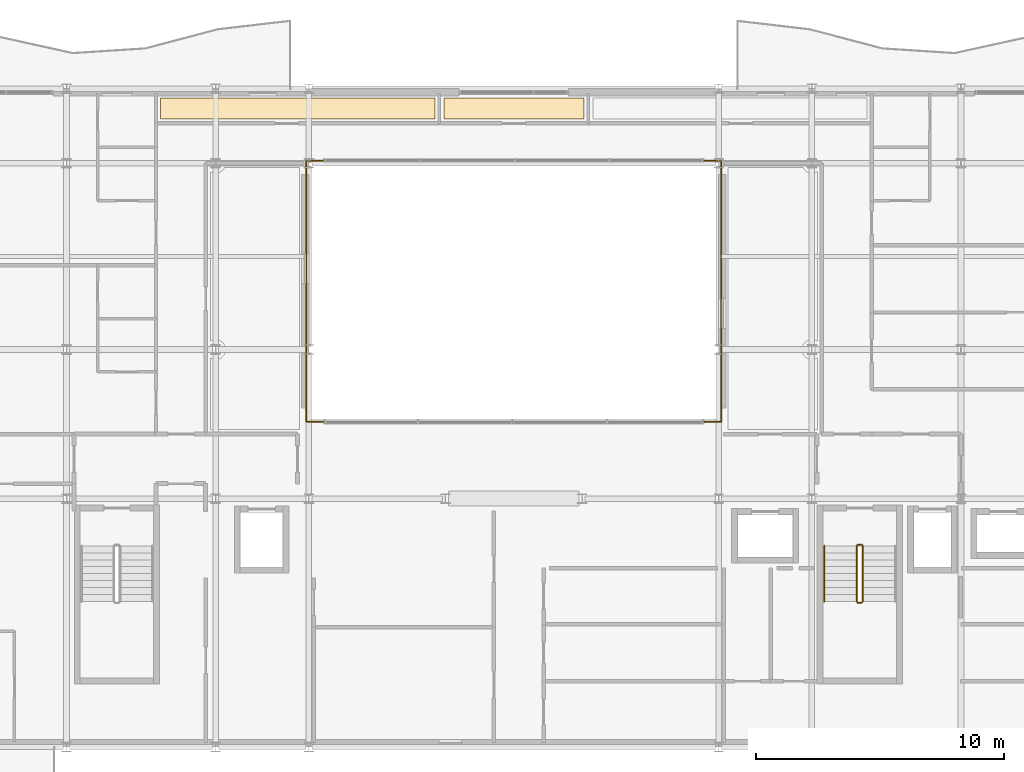
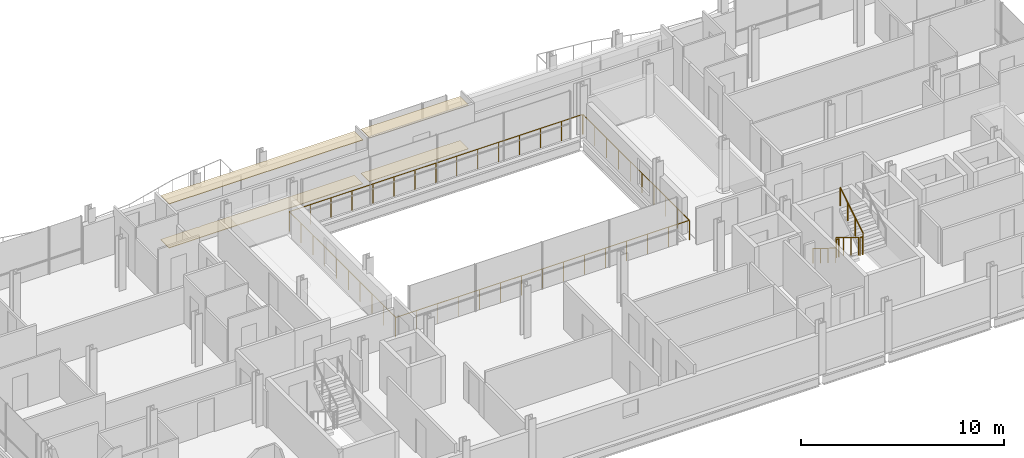
# One storey, part 35 of 36: 7 railings, 4 coverings.
"""IFC4 building model written with IfcOpenShell, lengths in metres."""

import ifcopenshell
import ifcopenshell.guid

model = None  # the IFC model being written
_history = None  # IfcOwnerHistory: only IFC2X3 demands one
_inside = {}  # id of a spatial element -> (the spatial element, [elements in it])
_under = {}  # id of a project, library or spatial element -> (it, [spatial elements below it])
_declared = {}  # id of a project -> (the project, [libraries it declares])
_typed = {}  # id of a type object -> (the type object, [elements of that type])
_made_of = {}  # id of a material, layer set ... -> (it, [elements and type objects made of it])


def new_model(schema):
    """Start an empty IFC model of exactly this schema.

    Asked for "IFC4X3", IfcOpenShell would pick the latest addendum, in which some entities
    have other attributes; the version numbers below select the first issue.
    IFC2X3 requires an IfcOwnerHistory on every rooted entity: one is made here for all.
    """
    global model, _history
    if schema == "IFC4X3":
        model = ifcopenshell.file(schema_version=(4, 3, 0, 0))
    else:
        model = ifcopenshell.file(schema=schema)
    _inside.clear()
    _under.clear()
    _declared.clear()
    _typed.clear()
    _made_of.clear()
    _history = None
    if model.schema == "IFC2X3":
        org = make("IfcOrganization", Name="unknown")
        user = make(
            "IfcPersonAndOrganization",
            ThePerson=make("IfcPerson", FamilyName="unknown"),
            TheOrganization=org,
        )
        app = make(
            "IfcApplication",
            ApplicationDeveloper=org,
            Version="unknown",
            ApplicationFullName="unknown",
            ApplicationIdentifier="unknown",
        )
        _history = make(
            "IfcOwnerHistory",
            OwningUser=user,
            OwningApplication=app,
            ChangeAction="ADDED",
            CreationDate=0,
        )
    return model


def make(cls, **values):
    """One entity of the class cls with the attributes given. An attribute that is None is left unset."""
    return model.create_entity(
        cls, **{name: value for name, value in values.items() if value is not None}
    )


def rooted(cls, **values):
    """An entity with a GlobalId (a new one), such as an element, a storey or a relation."""
    return make(cls, GlobalId=ifcopenshell.guid.new(), OwnerHistory=_history, **values)


def si_unit(unit_type, name, prefix=None):
    """IfcSIUnit, for example si_unit("LENGTHUNIT", "METRE", prefix="MILLI")."""
    return make("IfcSIUnit", UnitType=unit_type, Prefix=prefix, Name=name)


def assignment(units):
    """IfcUnitAssignment: the units of a project."""
    return None if units is None else make("IfcUnitAssignment", Units=units)


def point(xyz):
    """IfcCartesianPoint."""
    return None if xyz is None else make("IfcCartesianPoint", Coordinates=xyz)


def direction(xyz):
    """IfcDirection."""
    return None if xyz is None else make("IfcDirection", DirectionRatios=xyz)


def frame(location, z_axis=None, x_axis=None):
    """IfcAxis2Placement3D, a coordinate frame: its origin and axes. An axis left out is left unset."""
    return make(
        "IfcAxis2Placement3D",
        Location=point(location),
        Axis=direction(z_axis),
        RefDirection=direction(x_axis),
    )


def frame_2d(location, x_axis=None):
    """IfcAxis2Placement2D, a coordinate frame in the plane: its origin and x axis."""
    return make(
        "IfcAxis2Placement2D", Location=point(location), RefDirection=direction(x_axis)
    )


def origin():
    """The frame at (0, 0, 0) with its axes left unset."""
    return frame((0.0, 0.0, 0.0))


def origin_2d():
    """The frame at (0, 0) in the plane with its x axis left unset."""
    return frame_2d((0.0, 0.0))


def place(relative_to, where):
    """IfcLocalPlacement: puts the frame where relative to a parent placement (None: the world)."""
    return make(
        "IfcLocalPlacement", PlacementRelTo=relative_to, RelativePlacement=where
    )


def context(
    kind, dimensions, precision=None, world=None, true_north=None, identifier=None
):
    """IfcGeometricRepresentationContext, for example the 3D "Model" context."""
    return make(
        "IfcGeometricRepresentationContext",
        ContextIdentifier=identifier,
        ContextType=kind,
        CoordinateSpaceDimension=dimensions,
        Precision=precision,
        WorldCoordinateSystem=world,
        TrueNorth=true_north,
    )


def subcontext(parent, identifier, kind, view, scale=None):
    """IfcGeometricRepresentationSubContext, for example "Body" below "Model"."""
    return make(
        "IfcGeometricRepresentationSubContext",
        ContextIdentifier=identifier,
        ContextType=kind,
        ParentContext=parent,
        TargetScale=scale,
        TargetView=view,
    )


def project(units=None, contexts=None):
    """IfcProject with its units and contexts."""
    return rooted(
        "IfcProject",
        Name="project",
        RepresentationContexts=contexts,
        UnitsInContext=assignment(units),
    )


def spatial(cls, under=None, at=None, **own):
    """A site, building, storey or space (cls), placed at a placement, below another one or the project."""
    s = rooted(cls, ObjectPlacement=at, **own)
    if under is not None:
        _under.setdefault(under.id(), (under, []))[1].append(s)
    return s


def polyline(points):
    """IfcPolyline through the points."""
    return make("IfcPolyline", Points=[point(p) for p in points])


def profile(cls, at=None, kind="AREA", **sizes):
    """A parametric profile (cls). Its sizes go by their IFC names, for example OverallWidth=200.0."""
    return make(cls, ProfileType=kind, Position=at, **sizes)


def circle(**sizes):
    """IfcCircleProfileDef."""
    return profile("IfcCircleProfileDef", **sizes)


def outline(outer, holes=None, kind="AREA"):
    """IfcArbitraryClosedProfileDef: a profile drawn as a closed curve; with holes, ...WithVoids."""
    if holes is None:
        return make("IfcArbitraryClosedProfileDef", ProfileType=kind, OuterCurve=outer)
    return make(
        "IfcArbitraryProfileDefWithVoids",
        ProfileType=kind,
        OuterCurve=outer,
        InnerCurves=holes,
    )


def extrude(swept, where, along, depth):
    """IfcExtrudedAreaSolid: the profile swept, set in the frame where, extruded along a direction by depth."""
    return make(
        "IfcExtrudedAreaSolid",
        SweptArea=swept,
        Position=where,
        ExtrudedDirection=direction(along),
        Depth=depth,
    )


def shape(context_of_items, identifier, shape_type, items):
    """IfcShapeRepresentation: the items that make up one representation, for example the "Body"."""
    return make(
        "IfcShapeRepresentation",
        ContextOfItems=context_of_items,
        RepresentationIdentifier=identifier,
        RepresentationType=shape_type,
        Items=items,
    )


def material(Name=None, Category=None):
    """IfcMaterial."""
    return make("IfcMaterial", Name=Name, Category=Category)


def layer(
    of_material, thickness, ventilated=None, Name=None, Category=None, Priority=None
):
    """IfcMaterialLayer: one layer of a wall or slab, of a material (None: an air gap)."""
    return make(
        "IfcMaterialLayer",
        Material=of_material,
        LayerThickness=thickness,
        IsVentilated=ventilated,
        Name=Name,
        Category=Category,
        Priority=Priority,
    )


def layer_set(layers, Name=None):
    """IfcMaterialLayerSet."""
    return make("IfcMaterialLayerSet", MaterialLayers=layers, LayerSetName=Name)


def made_of(thing, what):
    """Note that an element or type object is made of a material, layer set ...; save() writes the relation."""
    if what is not None:
        _made_of.setdefault(what.id(), (what, []))[1].append(thing)
    return thing


def type_object(cls, material=None, **own):
    """A type object (cls), such as IfcWallType, which elements share."""
    return made_of(rooted(cls, **own), material)


def element(
    cls,
    number,
    at=None,
    inside=None,
    cuts=None,
    type_object=None,
    material=None,
    context=None,
    identifier="Body",
    shape_type=None,
    held_by="IfcProductDefinitionShape",
    body=None,
    shapes=None,
    **own,
):
    """One element of the class cls, such as IfcWall. Its Tag is "e" and its number.

    at: its placement. inside: the storey or other place that contains it. cuts: it is an
    opening in that element (IfcRelVoidsElement). A single representation is given by context,
    identifier, shape_type and body (its items); several are given by shapes. held_by: the class
    of the entity that holds the representations. save() writes the other relations.
    """
    e = rooted(cls, Tag="e%d" % number, ObjectPlacement=at, **own)
    if body is not None:
        shapes = [shape(context, identifier, shape_type, body)]
    if shapes is not None:
        e.Representation = make(held_by, Representations=shapes)
    if inside is not None:
        _inside.setdefault(inside.id(), (inside, []))[1].append(e)
    if cuts is not None:
        rooted(
            "IfcRelVoidsElement", RelatingBuildingElement=cuts, RelatedOpeningElement=e
        )
    if type_object is not None:
        _typed.setdefault(type_object.id(), (type_object, []))[1].append(e)
    return made_of(e, material)


def aggregate(whole, parts):
    """IfcRelAggregates: a whole, such as a stair, and the parts it consists of."""
    return rooted("IfcRelAggregates", RelatingObject=whole, RelatedObjects=parts)


def save(model, path):
    """Write the relations noted so far, then the file.

    IfcRelAggregates (storeys below a building ...), IfcRelContainedInSpatialStructure (elements
    in a storey), IfcRelDefinesByType, IfcRelAssociatesMaterial and IfcRelDeclares: one each for
    every whole, place, type object, material and project.
    """
    for whole, parts in _under.values():
        aggregate(whole, parts)
    for where, things in _inside.values():
        rooted(
            "IfcRelContainedInSpatialStructure",
            RelatedElements=things,
            RelatingStructure=where,
        )
    for kind, things in _typed.values():
        rooted("IfcRelDefinesByType", RelatedObjects=things, RelatingType=kind)
    for what, things in _made_of.values():
        rooted("IfcRelAssociatesMaterial", RelatedObjects=things, RelatingMaterial=what)
    for by, libraries in _declared.values():
        rooted("IfcRelDeclares", RelatingContext=by, RelatedDefinitions=libraries)
    model.write(path)


model = new_model("IFC4")

# Units and contexts
model_context = context("Model", 3, precision=1e-05, world=origin(), true_north=direction((0.0, 1.0)))
body_context = subcontext(model_context, "Body", "Model", "MODEL_VIEW")
ifc_project = project(units=[si_unit("LENGTHUNIT", "METRE"), si_unit("AREAUNIT", "SQUARE_METRE"), si_unit("VOLUMEUNIT", "CUBIC_METRE"), si_unit("PLANEANGLEUNIT", "RADIAN"), si_unit("MASSUNIT", "GRAM", prefix="KILO")], contexts=[model_context])

# Site, building, storey
site_placement = place(None, origin())
site = spatial("IfcSite", under=ifc_project, at=site_placement, CompositionType="ELEMENT")
building_placement = place(site_placement, origin())
building = spatial("IfcBuilding", under=site, at=building_placement, Name="Brevholm Reach", CompositionType="ELEMENT")
storey_placement = place(building_placement, frame((0.0, 0.0, 175.89990234375)))
storey = spatial("IfcBuildingStorey", under=building, at=storey_placement, Name="L53", CompositionType="ELEMENT", Elevation=175.89990234375)

# Coverings
ifc_material_1 = material(Name="Perforated Mineral-Fibre Class-A Acoustic Suspended Ceiling", Category="gypsum")
ifc_layer_1 = layer(ifc_material_1, 0.044921875)
ifc_layer_set_1 = layer_set([ifc_layer_1], Name="Perforated Mineral-Fibre Class-A Acoustic Suspended Ceiling")
covering_type_1 = type_object("IfcCoveringType", Name="COV-CLG-AC", PredefinedType="CEILING", material=ifc_layer_set_1)
covering_1_placement = place(storey_placement, frame((0.0, 0.0, 2.625)))
element("IfcCovering", 1, at=covering_1_placement, inside=storey, type_object=covering_type_1, Name="L53 Suspended Ceiling L53-56", PredefinedType="CEILING", context=body_context, shape_type="SweptSolid", body=[
    extrude(outline(polyline([(32.820068359375, 26.1201171875), (32.820068359375, 25.283935546875), (27.18408203125, 25.283935546875), (27.18408203125, 26.1201171875), (32.820068359375, 26.1201171875)])), origin(), (0.0, 0.0, 1.0), 0.045166015625),
])
ifc_material_2 = material(Name="Moisture-Resistant Skimmed Gypsum Plasterboard Ceiling", Category="gypsum")
ifc_layer_2 = layer(ifc_material_2, 0.030029296875)
ifc_layer_set_2 = layer_set([ifc_layer_2], Name="Moisture-Resistant Skimmed Gypsum Plasterboard Ceiling")
covering_type_2 = type_object("IfcCoveringType", Name="COV-CLG-GYP", PredefinedType="CEILING", material=ifc_layer_set_2)
covering_2_placement = place(storey_placement, frame((0.0, 0.0, 2.64013671875)))
element("IfcCovering", 2, at=covering_2_placement, inside=storey, type_object=covering_type_2, Name="L53 Suspended Ceiling L53-55", PredefinedType="CEILING", context=body_context, shape_type="SweptSolid", body=[
    extrude(outline(polyline([(17.876220703125, 26.1201171875), (17.8837890625, 26.1171875), (17.922119140625, 26.107666015625), (17.960693359375, 26.101806640625), (18.0, 26.10009765625), (18.039306640625, 26.101806640625), (18.077880859375, 26.107666015625), (18.1162109375, 26.1171875), (18.123779296875, 26.1201171875), (21.626220703125, 26.1201171875), (21.6337890625, 26.1171875), (21.672119140625, 26.107666015625), (21.710693359375, 26.101806640625), (21.75, 26.10009765625), (21.789306640625, 26.101806640625), (21.827880859375, 26.107666015625), (21.8662109375, 26.1171875), (21.873779296875, 26.1201171875), (26.820068359375, 26.1201171875), (26.820068359375, 25.283935546875), (15.783935546875, 25.283935546875), (15.783935546875, 26.1201171875), (17.876220703125, 26.1201171875)])), origin(), (0.0, 0.0, 1.0), 0.030029296875),
])
ifc_material_3 = material(Name="Engineered European Oak Acoustic Plank Flooring", Category="timber")
ifc_layer_3 = layer(ifc_material_3, 0.02197265625)
ifc_layer_set_3 = layer_set([ifc_layer_3], Name="Engineered European Oak Acoustic Plank Flooring")
covering_type_3 = type_object("IfcCoveringType", Name="COV-FLR-OAK", PredefinedType="FLOORING", material=ifc_layer_set_3)
covering_3_placement = place(storey_placement, origin())
element("IfcCovering", 3, at=covering_3_placement, inside=storey, type_object=covering_type_3, Name="L53 Floor Finish L53-56", PredefinedType="FLOORING", context=body_context, shape_type="SweptSolid", body=[
    extrude(outline(polyline([(32.820068359375, 26.1201171875), (32.820068359375, 25.283935546875), (27.18408203125, 25.283935546875), (27.18408203125, 26.1201171875), (32.820068359375, 26.1201171875)])), origin(), (0.0, 0.0, 1.0), 0.022216796875),
])
ifc_material_4 = material(Name="Honed Portland-Aggregate Resin Terrazzo Flooring", Category="concrete")
ifc_layer_4 = layer(ifc_material_4, 0.031982421875)
ifc_layer_set_4 = layer_set([ifc_layer_4], Name="Honed Portland-Aggregate Resin Terrazzo Flooring")
covering_type_4 = type_object("IfcCoveringType", Name="COV-FLR-TRZ", PredefinedType="FLOORING", material=ifc_layer_set_4)
covering_4_placement = place(storey_placement, origin())
element("IfcCovering", 4, at=covering_4_placement, inside=storey, type_object=covering_type_4, Name="L53 Floor Finish L53-55", PredefinedType="FLOORING", context=body_context, shape_type="SweptSolid", body=[
    extrude(outline(polyline([(17.876220703125, 26.1201171875), (17.8837890625, 26.1171875), (17.922119140625, 26.107666015625), (17.960693359375, 26.101806640625), (18.0, 26.10009765625), (18.039306640625, 26.101806640625), (18.077880859375, 26.107666015625), (18.1162109375, 26.1171875), (18.123779296875, 26.1201171875), (21.626220703125, 26.1201171875), (21.6337890625, 26.1171875), (21.672119140625, 26.107666015625), (21.710693359375, 26.101806640625), (21.75, 26.10009765625), (21.789306640625, 26.101806640625), (21.827880859375, 26.107666015625), (21.8662109375, 26.1171875), (21.873779296875, 26.1201171875), (26.820068359375, 26.1201171875), (26.820068359375, 25.283935546875), (15.783935546875, 25.283935546875), (15.783935546875, 26.1201171875), (17.876220703125, 26.1201171875)])), origin(), (0.0, 0.0, 1.0), 0.031982421875),
])

# Railings
ifc_material_5 = material(Name="Brushed Stainless Steel EN 1.4401 Continuous Handrail", Category="steel")
railing_type_1 = type_object("IfcRailingType", Name="RAL-HND-950", PredefinedType="HANDRAIL", material=ifc_material_5)
railing_1_placement = place(storey_placement, frame((42.5, 8.10009765625, 0.17236328125)))
element("IfcRailing", 5, at=railing_1_placement, inside=storey, type_object=railing_type_1, Name="L53 ST-2 stair handrail 1", PredefinedType="HANDRAIL", context=body_context, shape_type="SweptSolid", body=[
    extrude(circle(Radius=0.02392578125, at=origin_2d()), frame((0.0, 0.0, 0.8857421875), z_axis=(0.0, -0.85178898068, 0.523885037382), x_axis=(1.0, 0.0, 0.0)), (0.0, 0.0, 1.0), 2.629638671875),
    extrude(circle(Radius=0.02099609375, at=origin_2d()), origin(), (0.0, 0.0, 1.0), 0.86181640625),
    extrude(circle(Radius=0.02099609375, at=origin_2d()), frame((0.0, -0.74658203125, 0.459228515625)), (0.0, 0.0, 1.0), 0.86181640625),
    extrude(circle(Radius=0.02099609375, at=origin_2d()), frame((0.0, -1.493408203125, 0.91845703125)), (0.0, 0.0, 1.0), 0.86181640625),
    extrude(circle(Radius=0.02099609375, at=origin_2d()), frame((0.0, -2.239990234375, 1.377685546875)), (0.0, 0.0, 1.0), 0.86181640625),
])
ifc_material_6 = material(Name="Painted Tubular Galvanised Steel S275JR Stair Guard", Category="steel")
railing_type_2 = type_object("IfcRailingType", Name="RAL-STG-1120", PredefinedType="BALUSTRADE", material=ifc_material_6)
railing_2_placement = place(storey_placement, frame((43.800048828125, 8.10009765625, 0.17236328125)))
element("IfcRailing", 6, at=railing_2_placement, inside=storey, type_object=railing_type_2, Name="L53 ST-2 stair guard 1", PredefinedType="BALUSTRADE", context=body_context, shape_type="SweptSolid", body=[
    extrude(circle(Radius=0.02392578125, at=origin_2d()), frame((0.0, 0.0, 1.076171875), z_axis=(0.0, -0.85178898068, 0.523885037382), x_axis=(1.0, 0.0, 0.0)), (0.0, 0.0, 1.0), 2.629638671875),
    extrude(circle(Radius=0.02099609375, at=origin_2d()), origin(), (0.0, 0.0, 1.0), 1.052001953125),
    extrude(circle(Radius=0.02099609375, at=origin_2d()), frame((0.0, -0.74658203125, 0.459228515625)), (0.0, 0.0, 1.0), 1.052001953125),
    extrude(circle(Radius=0.02099609375, at=origin_2d()), frame((0.0, -1.493408203125, 0.91845703125)), (0.0, 0.0, 1.0), 1.052001953125),
    extrude(circle(Radius=0.02099609375, at=origin_2d()), frame((0.0, -2.239990234375, 1.377685546875)), (0.0, 0.0, 1.0), 1.052001953125),
])
railing_3_placement = place(storey_placement, frame((43.85009765625, 5.81005859375, 1.550048828125)))
element("IfcRailing", 7, at=railing_3_placement, inside=storey, type_object=railing_type_2, Name="L53 ST-2 stair guard 2", PredefinedType="BALUSTRADE", context=body_context, shape_type="SweptSolid", body=[
    extrude(circle(Radius=0.02392578125, at=origin_2d()), frame((0.0, 0.0, 1.076171875), z_axis=(1.0, 0.0, 0.0), x_axis=(0.0, 1.0, 0.0)), (0.0, 0.0, 1.0), 0.14990234375),
    extrude(circle(Radius=0.02099609375, at=origin_2d()), origin(), (0.0, 0.0, 1.0), 1.052001953125),
    extrude(circle(Radius=0.02099609375, at=origin_2d()), frame((0.14990234375, 0.0, 0.0)), (0.0, 0.0, 1.0), 1.052001953125),
])
railing_4_placement = place(storey_placement, frame((44.050048828125, 5.860107421875, 1.722412109375)))
element("IfcRailing", 8, at=railing_4_placement, inside=storey, type_object=railing_type_2, Name="L53 ST-2 stair guard 3", PredefinedType="BALUSTRADE", context=body_context, shape_type="SweptSolid", body=[
    extrude(circle(Radius=0.02392578125, at=origin_2d()), frame((0.0, 0.0, 1.076171875), z_axis=(0.0, 0.85178898068, 0.523885037382), x_axis=(-1.0, 0.0, 0.0)), (0.0, 0.0, 1.0), 2.629638671875),
    extrude(circle(Radius=0.02099609375, at=origin_2d()), origin(), (0.0, 0.0, 1.0), 1.052001953125),
    extrude(circle(Radius=0.02099609375, at=origin_2d()), frame((0.0, 0.74658203125, 0.459228515625)), (0.0, 0.0, 1.0), 1.052001953125),
    extrude(circle(Radius=0.02099609375, at=origin_2d()), frame((0.0, 1.493408203125, 0.91845703125)), (0.0, 0.0, 1.0), 1.052001953125),
    extrude(circle(Radius=0.02099609375, at=origin_2d()), frame((0.0, 2.239990234375, 1.377685546875)), (0.0, 0.0, 1.0), 1.052001953125),
])
railing_5_placement = place(storey_placement, frame((43.85009765625, 8.14990234375, 0.0)))
element("IfcRailing", 9, at=railing_5_placement, inside=storey, type_object=railing_type_2, Name="L53 ST-2 stair guard 4", PredefinedType="BALUSTRADE", context=body_context, shape_type="SweptSolid", body=[
    extrude(circle(Radius=0.02392578125, at=origin_2d()), frame((0.0, 0.0, 1.076171875), z_axis=(1.0, 0.0, 0.0), x_axis=(0.0, 1.0, 0.0)), (0.0, 0.0, 1.0), 0.14990234375),
    extrude(circle(Radius=0.02099609375, at=origin_2d()), origin(), (0.0, 0.0, 1.0), 1.052001953125),
    extrude(circle(Radius=0.02099609375, at=origin_2d()), frame((0.14990234375, 0.0, 0.0)), (0.0, 0.0, 1.0), 1.052001953125),
])
ifc_material_7 = material(Name="Brushed Stainless Steel EN 1.4401 and Laminated Glass", Category="steel")
railing_type_3 = type_object("IfcRailingType", Name="RAL-TERR-1200", PredefinedType="BALUSTRADE", material=ifc_material_7)
railing_6_placement = place(storey_placement, frame((21.64990234375, 13.10009765625, 0.0)))
element("IfcRailing", 10, at=railing_6_placement, inside=storey, type_object=railing_type_3, Name="L53 Guard Balustrade RAL-L53-AT-VOID-SW", PredefinedType="BALUSTRADE", context=body_context, shape_type="SweptSolid", body=[
    extrude(circle(Radius=0.02392578125, at=origin_2d()), frame((0.0, 0.0, 1.17578125), z_axis=(1.0, 0.0, 0.0), x_axis=(0.0, 1.0, 0.0)), (0.0, 0.0, 1.0), 16.7001953125),
    extrude(circle(Radius=0.02392578125, at=origin_2d()), frame((16.7001953125, 0.0, 1.17578125), z_axis=(0.0, 1.0, 0.0), x_axis=(-1.0, 0.0, 0.0)), (0.0, 0.0, 1.0), 10.47998046875),
    extrude(circle(Radius=0.02099609375, at=origin_2d()), origin(), (0.0, 0.0, 1.0), 1.15185546875),
    extrude(circle(Radius=0.02099609375, at=origin_2d()), frame((1.19287109375, 0.0, 0.0)), (0.0, 0.0, 1.0), 1.15185546875),
    extrude(circle(Radius=0.02099609375, at=origin_2d()), frame((2.3857421875, 0.0, 0.0)), (0.0, 0.0, 1.0), 1.15185546875),
    extrude(circle(Radius=0.02099609375, at=origin_2d()), frame((3.57861328125, 0.0, 0.0)), (0.0, 0.0, 1.0), 1.15185546875),
    extrude(circle(Radius=0.02099609375, at=origin_2d()), frame((4.771484375, 0.0, 0.0)), (0.0, 0.0, 1.0), 1.15185546875),
    extrude(circle(Radius=0.02099609375, at=origin_2d()), frame((5.96435546875, 0.0, 0.0)), (0.0, 0.0, 1.0), 1.15185546875),
    extrude(circle(Radius=0.02099609375, at=origin_2d()), frame((7.1572265625, 0.0, 0.0)), (0.0, 0.0, 1.0), 1.15185546875),
    extrude(circle(Radius=0.02099609375, at=origin_2d()), frame((8.35009765625, 0.0, 0.0)), (0.0, 0.0, 1.0), 1.15185546875),
    extrude(circle(Radius=0.02099609375, at=origin_2d()), frame((9.54296875, 0.0, 0.0)), (0.0, 0.0, 1.0), 1.15185546875),
    extrude(circle(Radius=0.02099609375, at=origin_2d()), frame((10.73583984375, 0.0, 0.0)), (0.0, 0.0, 1.0), 1.15185546875),
    extrude(circle(Radius=0.02099609375, at=origin_2d()), frame((11.9287109375, 0.0, 0.0)), (0.0, 0.0, 1.0), 1.15185546875),
    extrude(circle(Radius=0.02099609375, at=origin_2d()), frame((13.12158203125, 0.0, 0.0)), (0.0, 0.0, 1.0), 1.15185546875),
    extrude(circle(Radius=0.02099609375, at=origin_2d()), frame((14.314453125, 0.0, 0.0)), (0.0, 0.0, 1.0), 1.15185546875),
    extrude(circle(Radius=0.02099609375, at=origin_2d()), frame((15.50732421875, 0.0, 0.0)), (0.0, 0.0, 1.0), 1.15185546875),
    extrude(circle(Radius=0.02099609375, at=origin_2d()), frame((16.7001953125, 0.0, 0.0)), (0.0, 0.0, 1.0), 1.15185546875),
    extrude(circle(Radius=0.02099609375, at=origin_2d()), frame((16.7001953125, 1.16455078125, 0.0)), (0.0, 0.0, 1.0), 1.15185546875),
    extrude(circle(Radius=0.02099609375, at=origin_2d()), frame((16.7001953125, 2.328857421875, 0.0)), (0.0, 0.0, 1.0), 1.15185546875),
    extrude(circle(Radius=0.02099609375, at=origin_2d()), frame((16.7001953125, 3.493408203125, 0.0)), (0.0, 0.0, 1.0), 1.15185546875),
    extrude(circle(Radius=0.02099609375, at=origin_2d()), frame((16.7001953125, 4.65771484375, 0.0)), (0.0, 0.0, 1.0), 1.15185546875),
    extrude(circle(Radius=0.02099609375, at=origin_2d()), frame((16.7001953125, 5.822265625, 0.0)), (0.0, 0.0, 1.0), 1.15185546875),
    extrude(circle(Radius=0.02099609375, at=origin_2d()), frame((16.7001953125, 6.986572265625, 0.0)), (0.0, 0.0, 1.0), 1.15185546875),
    extrude(circle(Radius=0.02099609375, at=origin_2d()), frame((16.7001953125, 8.151123046875, 0.0)), (0.0, 0.0, 1.0), 1.15185546875),
    extrude(circle(Radius=0.02099609375, at=origin_2d()), frame((16.7001953125, 9.3154296875, 0.0)), (0.0, 0.0, 1.0), 1.15185546875),
    extrude(circle(Radius=0.02099609375, at=origin_2d()), frame((16.7001953125, 10.47998046875, 0.0)), (0.0, 0.0, 1.0), 1.15185546875),
])
railing_7_placement = place(storey_placement, frame((38.330078125, 23.60009765625, 0.0)))
element("IfcRailing", 11, at=railing_7_placement, inside=storey, type_object=railing_type_3, Name="L53 Guard Balustrade RAL-L53-AT-VOID-NE", PredefinedType="BALUSTRADE", context=body_context, shape_type="SweptSolid", body=[
    extrude(circle(Radius=0.02392578125, at=origin_2d()), frame((0.0, 0.0, 1.17578125), z_axis=(-1.0, 0.0, 0.0), x_axis=(0.0, -1.0, 0.0)), (0.0, 0.0, 1.0), 16.68017578125),
    extrude(circle(Radius=0.02392578125, at=origin_2d()), frame((-16.68017578125, 0.0, 1.17578125), z_axis=(0.0, -1.0, 0.0), x_axis=(1.0, 0.0, 0.0)), (0.0, 0.0, 1.0), 10.47998046875),
    extrude(circle(Radius=0.02099609375, at=origin_2d()), origin(), (0.0, 0.0, 1.0), 1.15185546875),
    extrude(circle(Radius=0.02099609375, at=origin_2d()), frame((-1.19140625, 0.0, 0.0)), (0.0, 0.0, 1.0), 1.15185546875),
    extrude(circle(Radius=0.02099609375, at=origin_2d()), frame((-2.3828125, 0.0, 0.0)), (0.0, 0.0, 1.0), 1.15185546875),
    extrude(circle(Radius=0.02099609375, at=origin_2d()), frame((-3.57421875, 0.0, 0.0)), (0.0, 0.0, 1.0), 1.15185546875),
    extrude(circle(Radius=0.02099609375, at=origin_2d()), frame((-4.765869140625, 0.0, 0.0)), (0.0, 0.0, 1.0), 1.15185546875),
    extrude(circle(Radius=0.02099609375, at=origin_2d()), frame((-5.957275390625, 0.0, 0.0)), (0.0, 0.0, 1.0), 1.15185546875),
    extrude(circle(Radius=0.02099609375, at=origin_2d()), frame((-7.148681640625, 0.0, 0.0)), (0.0, 0.0, 1.0), 1.15185546875),
    extrude(circle(Radius=0.02099609375, at=origin_2d()), frame((-8.340087890625, 0.0, 0.0)), (0.0, 0.0, 1.0), 1.15185546875),
    extrude(circle(Radius=0.02099609375, at=origin_2d()), frame((-9.531494140625, 0.0, 0.0)), (0.0, 0.0, 1.0), 1.15185546875),
    extrude(circle(Radius=0.02099609375, at=origin_2d()), frame((-10.722900390625, 0.0, 0.0)), (0.0, 0.0, 1.0), 1.15185546875),
    extrude(circle(Radius=0.02099609375, at=origin_2d()), frame((-11.914306640625, 0.0, 0.0)), (0.0, 0.0, 1.0), 1.15185546875),
    extrude(circle(Radius=0.02099609375, at=origin_2d()), frame((-13.10595703125, 0.0, 0.0)), (0.0, 0.0, 1.0), 1.15185546875),
    extrude(circle(Radius=0.02099609375, at=origin_2d()), frame((-14.29736328125, 0.0, 0.0)), (0.0, 0.0, 1.0), 1.15185546875),
    extrude(circle(Radius=0.02099609375, at=origin_2d()), frame((-15.48876953125, 0.0, 0.0)), (0.0, 0.0, 1.0), 1.15185546875),
    extrude(circle(Radius=0.02099609375, at=origin_2d()), frame((-16.68017578125, 0.0, 0.0)), (0.0, 0.0, 1.0), 1.15185546875),
    extrude(circle(Radius=0.02099609375, at=origin_2d()), frame((-16.68017578125, -1.16455078125, 0.0)), (0.0, 0.0, 1.0), 1.15185546875),
    extrude(circle(Radius=0.02099609375, at=origin_2d()), frame((-16.68017578125, -2.328857421875, 0.0)), (0.0, 0.0, 1.0), 1.15185546875),
    extrude(circle(Radius=0.02099609375, at=origin_2d()), frame((-16.68017578125, -3.493408203125, 0.0)), (0.0, 0.0, 1.0), 1.15185546875),
    extrude(circle(Radius=0.02099609375, at=origin_2d()), frame((-16.68017578125, -4.65771484375, 0.0)), (0.0, 0.0, 1.0), 1.15185546875),
    extrude(circle(Radius=0.02099609375, at=origin_2d()), frame((-16.68017578125, -5.822265625, 0.0)), (0.0, 0.0, 1.0), 1.15185546875),
    extrude(circle(Radius=0.02099609375, at=origin_2d()), frame((-16.68017578125, -6.986572265625, 0.0)), (0.0, 0.0, 1.0), 1.15185546875),
    extrude(circle(Radius=0.02099609375, at=origin_2d()), frame((-16.68017578125, -8.151123046875, 0.0)), (0.0, 0.0, 1.0), 1.15185546875),
    extrude(circle(Radius=0.02099609375, at=origin_2d()), frame((-16.68017578125, -9.3154296875, 0.0)), (0.0, 0.0, 1.0), 1.15185546875),
    extrude(circle(Radius=0.02099609375, at=origin_2d()), frame((-16.68017578125, -10.47998046875, 0.0)), (0.0, 0.0, 1.0), 1.15185546875),
])

save(model, "model.ifc")
